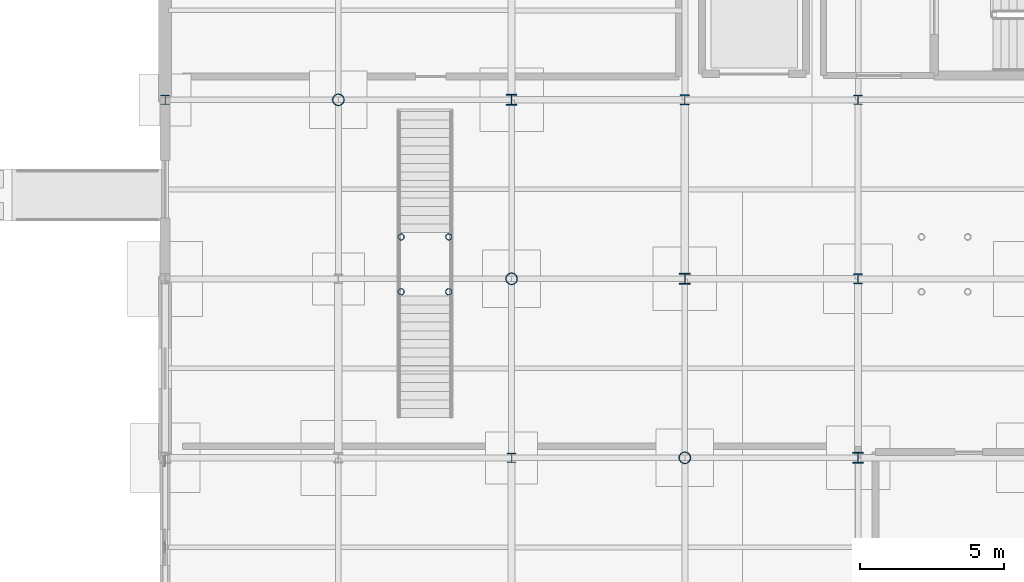
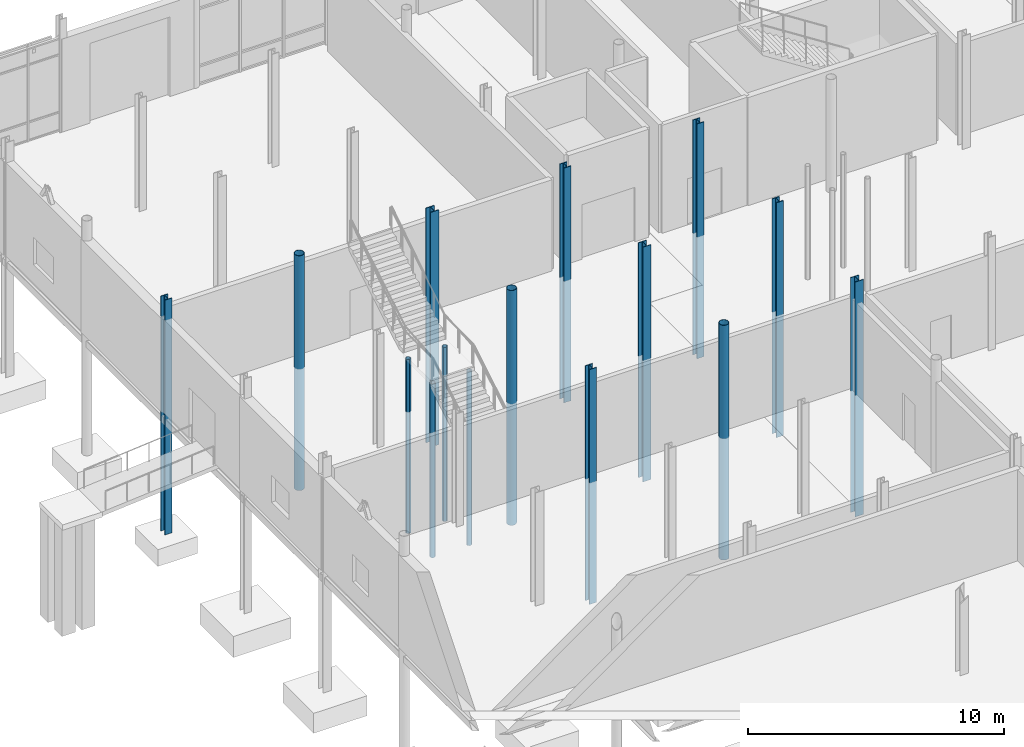
# One storey, part 6 of 98: 15 columns.
"""IFC4 building model written with IfcOpenShell, lengths in metres."""

from ifc_helpers import new_model, si_unit, direction, frame, origin, origin_2d, place, context, subcontext, project, spatial, hollow_circle, i_section, extrude, material, material_profile, profile_set, type_object, element, save


model = new_model("IFC4")

# Units and contexts
model_context = context("Model", 3, precision=1e-05, world=origin(), true_north=direction((0.0, 1.0)))
body_context = subcontext(model_context, "Body", "Model", "MODEL_VIEW")
ifc_project = project(units=[si_unit("LENGTHUNIT", "METRE"), si_unit("AREAUNIT", "SQUARE_METRE"), si_unit("VOLUMEUNIT", "CUBIC_METRE"), si_unit("PLANEANGLEUNIT", "RADIAN"), si_unit("MASSUNIT", "GRAM", prefix="KILO")], contexts=[model_context])

# Site, building, storey
site_placement = place(None, origin())
site = spatial("IfcSite", under=ifc_project, at=site_placement, CompositionType="ELEMENT")
building_placement = place(site_placement, origin())
building = spatial("IfcBuilding", under=site, at=building_placement, Name="Mirzam Square Science Centre", CompositionType="ELEMENT")
storey_placement = place(building_placement, origin())
storey = spatial("IfcBuildingStorey", under=building, at=storey_placement, Name="L00", CompositionType="ELEMENT", Elevation=0.0)

# Columns
ifc_material = material(Name="Steel S355", Category="steel")
ifc_material_profile_1 = material_profile(ifc_material, hollow_circle(Radius=0.109619140625, WallThickness=0.010009765625, at=origin_2d()), Name="219.1x10.0CHS")
ifc_profile_set_1 = profile_set([ifc_material_profile_1], Name="Steel S355")
column_type_1 = type_object("IfcColumnType", Name="COL-CHS219", PredefinedType="COLUMN", material=ifc_profile_set_1)
for number, where, z_axis, x_axis, name in (
    (1, (8.175048828125, 55.35009765625, -5.800048828125), (0.0, 0.0, 1.0), (1.0, 0.0, 0.0), "ST-08 landing support post 1"),
    (2, (9.824951171875, 55.35009765625, -5.800048828125), (0.0, 0.0, 1.0), (1.0, 0.0, 0.0), "ST-08 landing support post 2"),
    (3, (8.175048828125, 57.25, -5.800048828125), (0.0, 0.0, 1.0), (1.0, 0.0, 0.0), "ST-08 landing support post 3"),
    (4, (9.824951171875, 57.25, -5.800048828125), (0.0, 0.0, 1.0), (1.0, 0.0, 0.0), "ST-08 landing support post 4"),
):
    element("IfcColumn", number, at=place(storey_placement, frame(where, z_axis=z_axis, x_axis=x_axis)), inside=storey, type_object=column_type_1, Name=name, PredefinedType="COLUMN", context=body_context, shape_type="SweptSolid", body=[
        extrude(hollow_circle(Radius=0.109619140625, WallThickness=0.010009765625, at=origin_2d()), origin(), (0.0, 0.0, 1.0), 8.300048828125),
    ])
ifc_material_profile_2 = material_profile(ifc_material, hollow_circle(Radius=0.203125, WallThickness=0.01611328125, at=origin_2d()), Name="406.4x16.0CHS")
ifc_profile_set_2 = profile_set([ifc_material_profile_2], Name="Steel S355")
column_type_2 = type_object("IfcColumnType", Name="COL-CHS406", PredefinedType="COLUMN", material=ifc_profile_set_2)
for number, where, z_axis, x_axis, name in (
    (5, (6.0, 62.0, -5.800048828125), (0.0, 0.0, 1.0), (1.0, 0.0, 0.0), "L00 column G02-11"),
    (6, (12.0, 55.800048828125, -5.800048828125), (0.0, 0.0, 1.0), (1.0, 0.0, 0.0), "L00 column G03-10"),
    (7, (18.0, 49.60009765625, -5.800048828125), (0.0, 0.0, 1.0), (1.0, 0.0, 0.0), "L00 column G04-09"),
):
    element("IfcColumn", number, at=place(storey_placement, frame(where, z_axis=z_axis, x_axis=x_axis)), inside=storey, type_object=column_type_2, Name=name, PredefinedType="COLUMN", context=body_context, shape_type="SweptSolid", body=[
        extrude(hollow_circle(Radius=0.203125, WallThickness=0.01611328125, at=origin_2d()), origin(), (0.0, 0.0, 1.0), 11.199951171875),
    ])
ifc_material_profile_3 = material_profile(ifc_material, i_section(OverallWidth=0.314453125, OverallDepth=0.33984375, WebThickness=0.01904296875, FlangeThickness=0.031494140625, FilletRadius=0.01513671875, at=origin_2d()), Name="305x305x198UC")
ifc_profile_set_3 = profile_set([ifc_material_profile_3], Name="Steel S355")
column_type_3 = type_object("IfcColumnType", Name="COL-UC305B", PredefinedType="COLUMN", material=ifc_profile_set_3)
for number, where, z_axis, x_axis, name in (
    (8, (0.0, 62.0, -5.800048828125), (0.0, 0.0, 1.0), (1.0, 0.0, 0.0), "L00 column G01-11"),
    (9, (12.0, 49.60009765625, -5.800048828125), (0.0, 0.0, 1.0), (1.0, 0.0, 0.0), "L00 column G03-09"),
    (10, (24.0, 62.0, -5.800048828125), (0.0, 0.0, 1.0), (1.0, 0.0, 0.0), "L00 column G05-11"),
):
    element("IfcColumn", number, at=place(storey_placement, frame(where, z_axis=z_axis, x_axis=x_axis)), inside=storey, type_object=column_type_3, Name=name, PredefinedType="COLUMN", context=body_context, shape_type="SweptSolid", body=[
        extrude(i_section(OverallWidth=0.314453125, OverallDepth=0.33984375, WebThickness=0.01904296875, FlangeThickness=0.031494140625, FilletRadius=0.01513671875, at=origin_2d()), origin(), (0.0, 0.0, 1.0), 11.199951171875),
    ])
ifc_material_profile_4 = material_profile(ifc_material, i_section(OverallWidth=0.318359375, OverallDepth=0.3525390625, WebThickness=0.02294921875, FlangeThickness=0.03759765625, FilletRadius=0.01513671875, at=origin_2d()), Name="305x305x240UC")
ifc_profile_set_4 = profile_set([ifc_material_profile_4], Name="Steel S355")
column_type_4 = type_object("IfcColumnType", Name="COL-UC305C", PredefinedType="COLUMN", material=ifc_profile_set_4)
for number, where, z_axis, x_axis, name in (
    (11, (18.0, 62.0, -5.800048828125), (0.0, 0.0, 1.0), (1.0, 0.0, 0.0), "L00 column G04-11"),
    (12, (24.0, 55.800048828125, -5.800048828125), (0.0, 0.0, 1.0), (1.0, 0.0, 0.0), "L00 column G05-10"),
):
    element("IfcColumn", number, at=place(storey_placement, frame(where, z_axis=z_axis, x_axis=x_axis)), inside=storey, type_object=column_type_4, Name=name, PredefinedType="COLUMN", context=body_context, shape_type="SweptSolid", body=[
        extrude(i_section(OverallWidth=0.318359375, OverallDepth=0.3525390625, WebThickness=0.02294921875, FlangeThickness=0.03759765625, FilletRadius=0.01513671875, at=origin_2d()), origin(), (0.0, 0.0, 1.0), 11.199951171875),
    ])
ifc_material_profile_5 = material_profile(ifc_material, i_section(OverallWidth=0.374755859375, OverallDepth=0.37451171875, WebThickness=0.0166015625, FlangeThickness=0.027099609375, FilletRadius=0.01513671875, at=origin_2d()), Name="356x368x202UC")
ifc_profile_set_5 = profile_set([ifc_material_profile_5], Name="Steel S355")
column_type_5 = type_object("IfcColumnType", Name="COL-UC356A", PredefinedType="COLUMN", material=ifc_profile_set_5)
for number, where, z_axis, x_axis, name in (
    (13, (12.0, 62.0, -5.800048828125), (0.0, 0.0, 1.0), (1.0, 0.0, 0.0), "L00 column G03-11"),
    (14, (18.0, 55.800048828125, -5.800048828125), (0.0, 0.0, 1.0), (1.0, 0.0, 0.0), "L00 column G04-10"),
    (15, (24.0, 49.60009765625, -5.800048828125), (0.0, 0.0, 1.0), (1.0, 0.0, 0.0), "L00 column G05-09"),
):
    element("IfcColumn", number, at=place(storey_placement, frame(where, z_axis=z_axis, x_axis=x_axis)), inside=storey, type_object=column_type_5, Name=name, PredefinedType="COLUMN", context=body_context, shape_type="SweptSolid", body=[
        extrude(i_section(OverallWidth=0.374755859375, OverallDepth=0.37451171875, WebThickness=0.0166015625, FlangeThickness=0.027099609375, FilletRadius=0.01513671875, at=origin_2d()), origin(), (0.0, 0.0, 1.0), 11.199951171875),
    ])

save(model, "model.ifc")
